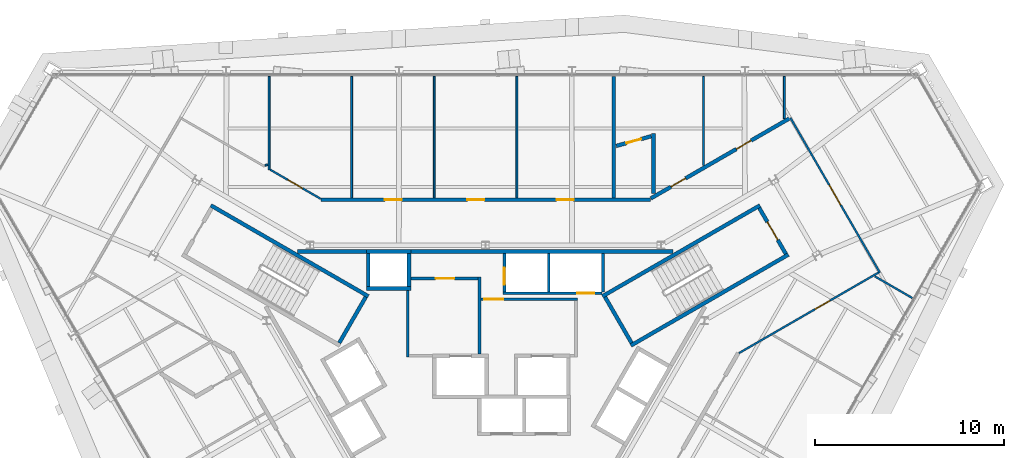
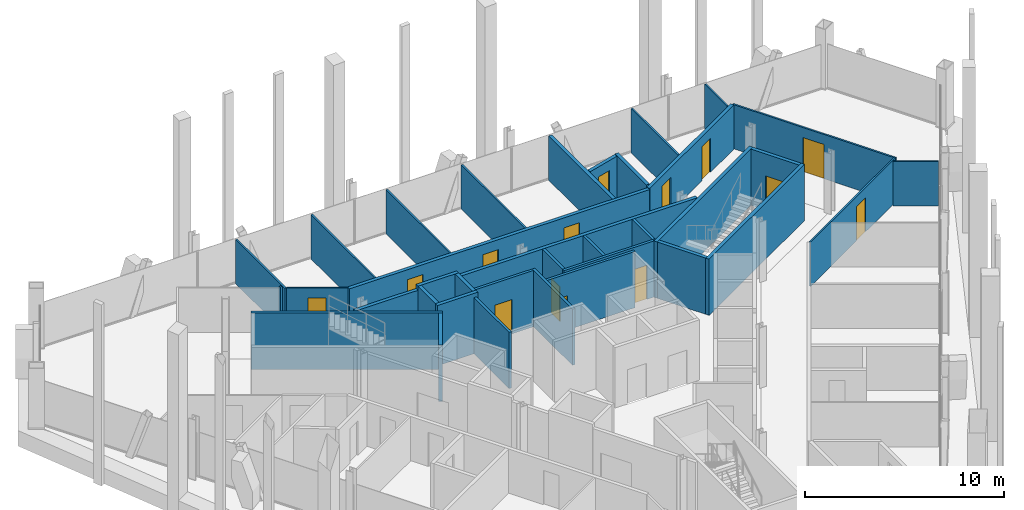
# One storey, part 13 of 16: 36 walls, 14 doors, 14 openings.
"""IFC4 building model written with IfcOpenShell, lengths in metres."""

from ifc_helpers import new_model, si_unit, direction, frame, frame_2d, origin, place, context, subcontext, project, spatial, rectangle, extrude, material, layer, layer_set, type_object, element, fill, save


model = new_model("IFC4")

# Units and contexts
model_context = context("Model", 3, precision=1e-05, world=origin(), true_north=direction((0.0, 1.0)))
body_context = subcontext(model_context, "Body", "Model", "MODEL_VIEW")
ifc_project = project(units=[si_unit("LENGTHUNIT", "METRE"), si_unit("AREAUNIT", "SQUARE_METRE"), si_unit("VOLUMEUNIT", "CUBIC_METRE"), si_unit("PLANEANGLEUNIT", "RADIAN"), si_unit("MASSUNIT", "GRAM", prefix="KILO")], contexts=[model_context])

# Site, building, storey
site_placement = place(None, origin())
site = spatial("IfcSite", under=ifc_project, at=site_placement, CompositionType="ELEMENT")
building_placement = place(site_placement, origin())
building = spatial("IfcBuilding", under=site, at=building_placement, Name="Verrane Prism Tower", CompositionType="ELEMENT")
storey_placement = place(building_placement, frame((0.0, 0.0, 247.10009765625)))
storey = spatial("IfcBuildingStorey", under=building, at=storey_placement, Name="L62", CompositionType="ELEMENT", Elevation=247.10009765625)

# Walls
ifc_material_1 = material(Name="Gypsum board partition", Category="other")
ifc_layer_1 = layer(ifc_material_1, 0.199951171875)
ifc_layer_set_1 = layer_set([ifc_layer_1], Name="CW-200 core boundary wall 2 h")
wall_type_1 = type_object("IfcWallType", Name="CW-200 core boundary wall 2 h", PredefinedType="PARTITIONING", material=ifc_layer_set_1)
wall_1_placement = place(storey_placement, frame((-9.907958984375, 7.659912109375, 0.0), z_axis=(0.0, 0.0, 1.0), x_axis=(1.0, 0.0, 0.0)))
element("IfcWall", 1, at=wall_1_placement, inside=storey, type_object=wall_type_1, Name="Core boundary wall CW3-002", PredefinedType="PARTITIONING", context=body_context, shape_type="SweptSolid", body=[
    extrude(rectangle(XDim=3.620849609375, YDim=0.199951171875, at=frame_2d((1.810546875, 0.0))), origin(), (0.0, 0.0, 1.0), 3.449951171875),
])
wall_2_placement = place(storey_placement, frame((-3.93310546875, 7.659912109375, 0.0), z_axis=(0.0, 0.0, 1.0), x_axis=(1.0, 0.0, 0.0)))
element("IfcWall", 2, at=wall_2_placement, inside=storey, type_object=wall_type_1, Name="Core boundary wall CW3-005", PredefinedType="PARTITIONING", context=body_context, shape_type="SweptSolid", body=[
    extrude(rectangle(XDim=13.841064453125, YDim=0.199951171875, at=frame_2d((6.92041015625, 0.0))), origin(), (0.0, 0.0, 1.0), 3.449951171875),
])

# Wall, opening, door
ifc_material_2 = material(Name="Concrete C40/50", Category="concrete")
ifc_layer_2 = layer(ifc_material_2, 0.199951171875)
ifc_layer_set_2 = layer_set([ifc_layer_2], Name="CW-200 stair core wall concrete C40/50 3 h")
wall_type_2 = type_object("IfcWallType", Name="CW-200 stair core wall concrete C40/50 3 h", PredefinedType="PARTITIONING", material=ifc_layer_set_2)
wall_3_placement = place(storey_placement, frame((15.85546875, 7.53759765625, 0.0), z_axis=(0.0, 0.0, 1.0), x_axis=(-0.500049511043, 0.865996816683, 0.0)))
wall_3 = element("IfcWall", 3, at=wall_3_placement, inside=storey, type_object=wall_type_2, Name="Stair 1 enclosure wall", PredefinedType="PARTITIONING", context=body_context, shape_type="SweptSolid", body=[
    extrude(rectangle(XDim=2.800048828125, YDim=0.199951171875, at=frame_2d((1.39990234375, 0.0))), origin(), (0.0, 0.0, 1.0), 3.449951171875),
])
opening_1_placement = place(wall_3_placement, frame((0.849853515625, 0.0, 0.0)))
opening_1 = element("IfcOpeningElement", 4, at=opening_1_placement, cuts=wall_3, Name="Opening D62500", PredefinedType="OPENING", context=body_context, shape_type="SweptSolid", body=[
    extrude(rectangle(XDim=1.10009765625, YDim=2.10009765625, at=frame_2d((0.550048828125, 1.050048828125))), frame((0.0, 0.10986328125, 0.0), z_axis=(0.0, -1.0, 0.0), x_axis=(1.0, 0.0, 0.0)), (0.0, 0.0, 1.0), 0.219970703125),
])
ifc_material_3 = material(Name="Timber veneered door leaf", Category="wood")
door_type_1 = type_object("IfcDoorType", Name="DR-1100x2100 FD90 single leaf stair", OperationType="NOTDEFINED", PredefinedType="DOOR", material=ifc_material_3)
door_1_placement = place(opening_1_placement, origin())
door_1 = element("IfcDoor", 5, at=door_1_placement, inside=storey, type_object=door_type_1, Name="Stair 1 door", OperationType="SINGLE_SWING_LEFT", OverallHeight=2.10009765625, OverallWidth=1.10009765625, PredefinedType="DOOR", context=body_context, shape_type="SweptSolid", body=[
    extrude(rectangle(XDim=1.10009765625, YDim=2.10009765625, at=frame_2d((0.550048828125, 1.050048828125))), frame((0.0, 0.02490234375, 0.0), z_axis=(0.0, -1.0, 0.0), x_axis=(1.0, 0.0, 0.0)), (0.0, 0.0, 1.0), 0.050048828125),
])
fill(opening_1, door_1)

# Walls
for number, where, z_axis, x_axis, name in (
    (6, (6.17822265625, 5.299072265625, 0.0), (0.0, 0.0, 1.0), (0.866019993635, 0.500009370536, 0.0), "Stair 1 enclosure wall"),
    (7, (7.67822265625, 2.700927734375, 0.0), (0.0, 0.0, 1.0), (0.866019993635, 0.500009370536, 0.0), "Stair 1 enclosure wall"),
):
    element("IfcWall", number, at=place(storey_placement, frame(where, z_axis=z_axis, x_axis=x_axis)), inside=storey, type_object=wall_type_2, Name=name, PredefinedType="PARTITIONING", context=body_context, shape_type="SweptSolid", body=[
        extrude(rectangle(XDim=9.599853515625, YDim=0.199951171875, at=frame_2d((4.7998046875, 0.0))), origin(), (0.0, 0.0, 1.0), 3.449951171875),
    ])
wall_4_placement = place(storey_placement, frame((7.71484375, 2.837646484375, 0.0), z_axis=(0.0, 0.0, 1.0), x_axis=(-0.500049511043, 0.865996816683, 0.0)))
element("IfcWall", 8, at=wall_4_placement, inside=storey, type_object=wall_type_2, Name="Stair 1 enclosure wall", PredefinedType="PARTITIONING", context=body_context, shape_type="SweptSolid", body=[
    extrude(rectangle(XDim=2.800048828125, YDim=0.199951171875, at=frame_2d((1.39990234375, 0.0))), origin(), (0.0, 0.0, 1.0), 3.449951171875),
])
wall_5_placement = place(storey_placement, frame((-6.17822265625, 5.299072265625, 0.0), z_axis=(0.0, 0.0, 1.0), x_axis=(-0.866019993635, 0.500009370536, 0.0)))
element("IfcWall", 9, at=wall_5_placement, inside=storey, type_object=wall_type_2, Name="Stair 2 enclosure wall", PredefinedType="PARTITIONING", context=body_context, shape_type="SweptSolid", body=[
    extrude(rectangle(XDim=9.599853515625, YDim=0.199951171875, at=frame_2d((4.7998046875, 0.0))), origin(), (0.0, 0.0, 1.0), 3.449951171875),
])
wall_6_placement = place(storey_placement, frame((-6.314697265625, 5.262451171875, 0.0), z_axis=(0.0, 0.0, 1.0), x_axis=(-0.500049511043, -0.865996816683, 0.0)))
element("IfcWall", 10, at=wall_6_placement, inside=storey, type_object=wall_type_2, Name="Stair 2 enclosure wall", PredefinedType="PARTITIONING", context=body_context, shape_type="SweptSolid", body=[
    extrude(rectangle(XDim=2.800048828125, YDim=0.199951171875, at=frame_2d((1.39990234375, 0.0))), origin(), (0.0, 0.0, 1.0), 3.449951171875),
])
ifc_material_4 = material(Name="Gypsum board shaft wall assembly", Category="other")
ifc_layer_3 = layer(ifc_material_4, 0.199951171875)
ifc_layer_set_3 = layer_set([ifc_layer_3], Name="HW-200 lift shaft wall 2 h")
wall_type_3 = type_object("IfcWallType", Name="HW-200 lift shaft wall 2 h", PredefinedType="PARTITIONING", material=ifc_layer_set_3)
for number, where, z_axis, x_axis, name in (
    (11, (-6.284912109375, 5.7099609375, 0.0), (0.0, 0.0, 1.0), (1.0, 0.0, 0.0), "Lift shaft wall"),
    (12, (-6.284912109375, 7.659912109375, 0.0), (0.0, 0.0, 1.0), (1.0, 0.0, 0.0), "Lift shaft wall"),
):
    element("IfcWall", number, at=place(storey_placement, frame(where, z_axis=z_axis, x_axis=x_axis)), inside=storey, type_object=wall_type_3, Name=name, PredefinedType="PARTITIONING", context=body_context, shape_type="SweptSolid", body=[
        extrude(rectangle(XDim=2.349853515625, YDim=0.199951171875, at=frame_2d((1.1748046875, 0.0))), origin(), (0.0, 0.0, 1.0), 3.699951171875),
    ])
for number, where, z_axis, x_axis, name in (
    (13, (-4.034912109375, 5.81005859375, 0.0), (0.0, 0.0, 1.0), (0.0, 1.0, 0.0), "Lift shaft wall"),
    (14, (-6.18505859375, 5.81005859375, 0.0), (0.0, 0.0, 1.0), (0.0, 1.0, 0.0), "Lift shaft wall"),
):
    element("IfcWall", number, at=place(storey_placement, frame(where, z_axis=z_axis, x_axis=x_axis)), inside=storey, type_object=wall_type_3, Name=name, PredefinedType="PARTITIONING", context=body_context, shape_type="SweptSolid", body=[
        extrude(rectangle(XDim=1.75, YDim=0.199951171875, at=frame_2d((0.875, 0.0))), origin(), (0.0, 0.0, 1.0), 3.699951171875),
    ])
ifc_material_5 = material(Name="Gypsum board partition", Category="other")
ifc_layer_4 = layer(ifc_material_5, 0.14990234375)
ifc_layer_set_4 = layer_set([ifc_layer_4], Name="LF-150 firefighting lobby wall 1 h")
wall_type_4 = type_object("IfcWallType", Name="LF-150 firefighting lobby wall 1 h", PredefinedType="PARTITIONING", material=ifc_layer_set_4)
wall_7_placement = place(storey_placement, frame((-4.10009765625, 2.0849609375, 0.0), z_axis=(0.0, 0.0, 1.0), x_axis=(0.0, 1.0, 0.0)))
element("IfcWall", 15, at=wall_7_placement, inside=storey, type_object=wall_type_4, Name="Firefighting lobby wall LF1-001", PredefinedType="PARTITIONING", context=body_context, shape_type="SweptSolid", body=[
    extrude(rectangle(XDim=3.52294921875, YDim=0.14990234375, at=frame_2d((1.761474609375, 0.0))), origin(), (0.0, 0.0, 1.0), 3.449951171875),
])

# Wall, opening, door
wall_8_placement = place(storey_placement, frame((-3.93310546875, 6.239990234375, 0.0), z_axis=(0.0, 0.0, 1.0), x_axis=(1.0, 0.0, 0.0)))
wall_8 = element("IfcWall", 16, at=wall_8_placement, inside=storey, type_object=wall_type_4, Name="Firefighting lobby wall LF1-003", PredefinedType="PARTITIONING", context=body_context, shape_type="SweptSolid", body=[
    extrude(rectangle(XDim=3.5380859375, YDim=0.14990234375, at=frame_2d((1.76904296875, 0.0))), origin(), (0.0, 0.0, 1.0), 3.449951171875),
])
opening_2_placement = place(wall_8_placement, frame((1.300048828125, 0.0, 0.0)))
opening_2 = element("IfcOpeningElement", 17, at=opening_2_placement, cuts=wall_8, Name="Opening D62512", PredefinedType="OPENING", context=body_context, shape_type="SweptSolid", body=[
    extrude(rectangle(XDim=1.0, YDim=2.10009765625, at=frame_2d((0.5, 1.050048828125))), frame((0.0, 0.0849609375, 0.0), z_axis=(0.0, -1.0, 0.0), x_axis=(1.0, 0.0, 0.0)), (0.0, 0.0, 1.0), 0.169921875),
])
ifc_material_6 = material(Name="Timber veneered door leaf", Category="wood")
door_type_2 = type_object("IfcDoorType", Name="DR-1000x2100 FD60 single leaf firefighting lobby", OperationType="NOTDEFINED", PredefinedType="DOOR", material=ifc_material_6)
door_2_placement = place(opening_2_placement, origin())
door_2 = element("IfcDoor", 18, at=door_2_placement, inside=storey, type_object=door_type_2, Name="Firefighting lobby door D62512", OperationType="SINGLE_SWING_LEFT", OverallHeight=2.10009765625, OverallWidth=1.0, PredefinedType="DOOR", context=body_context, shape_type="SweptSolid", body=[
    extrude(rectangle(XDim=1.0, YDim=2.10009765625, at=frame_2d((0.5, 1.050048828125))), frame((0.0, 0.02490234375, 0.0), z_axis=(0.0, -1.0, 0.0), x_axis=(1.0, 0.0, 0.0)), (0.0, 0.0, 1.0), 0.050048828125),
])
fill(opening_2, door_2)

# Wall
wall_9_placement = place(storey_placement, frame((-0.320068359375, 2.251953125, 0.0), z_axis=(0.0, 0.0, 1.0), x_axis=(0.0, 1.0, 0.0)))
element("IfcWall", 19, at=wall_9_placement, inside=storey, type_object=wall_type_4, Name="Firefighting lobby wall LF1-004", PredefinedType="PARTITIONING", context=body_context, shape_type="SweptSolid", body=[
    extrude(rectangle(XDim=4.06298828125, YDim=0.14990234375, at=frame_2d((2.031494140625, 0.0))), origin(), (0.0, 0.0, 1.0), 3.449951171875),
])

# Wall, opening, door
wall_10_placement = place(storey_placement, frame((-0.2451171875, 5.139892578125, 0.0), z_axis=(0.0, 0.0, 1.0), x_axis=(1.0, 0.0, 0.0)))
wall_10 = element("IfcWall", 20, at=wall_10_placement, inside=storey, type_object=wall_type_4, Name="Firefighting lobby wall LF1-005", PredefinedType="PARTITIONING", context=body_context, shape_type="SweptSolid", body=[
    extrude(rectangle(XDim=5.110107421875, YDim=0.14990234375, at=frame_2d((2.55517578125, 0.0))), origin(), (0.0, 0.0, 1.0), 3.449951171875),
])
opening_3_placement = place(wall_10_placement, frame((0.175048828125, 0.0, 0.0)))
opening_3 = element("IfcOpeningElement", 21, at=opening_3_placement, cuts=wall_10, Name="Opening D62513", PredefinedType="OPENING", context=body_context, shape_type="SweptSolid", body=[
    extrude(rectangle(XDim=1.0, YDim=2.10009765625, at=frame_2d((0.5, 1.050048828125))), frame((0.0, 0.0849609375, 0.0), z_axis=(0.0, -1.0, 0.0), x_axis=(1.0, 0.0, 0.0)), (0.0, 0.0, 1.0), 0.169921875),
])
door_3_placement = place(opening_3_placement, origin())
door_3 = element("IfcDoor", 22, at=door_3_placement, inside=storey, type_object=door_type_2, Name="Firefighting lobby door D62513", OperationType="SINGLE_SWING_LEFT", OverallHeight=2.10009765625, OverallWidth=1.0, PredefinedType="DOOR", context=body_context, shape_type="SweptSolid", body=[
    extrude(rectangle(XDim=1.0, YDim=2.10009765625, at=frame_2d((0.5, 1.050048828125))), frame((0.0, 0.02490234375, 0.0), z_axis=(0.0, -1.0, 0.0), x_axis=(1.0, 0.0, 0.0)), (0.0, 0.0, 1.0), 0.050048828125),
])
fill(opening_3, door_3)

# Walls
ifc_material_7 = material(Name="Gypsum board partition", Category="other")
ifc_layer_5 = layer(ifc_material_7, 0.10009765625)
ifc_layer_set_5 = layer_set([ifc_layer_5], Name="PW-100 room partition")
wall_type_5 = type_object("IfcWallType", Name="PW-100 room partition", PredefinedType="PARTITIONING", material=ifc_layer_set_5)
wall_11_placement = place(storey_placement, frame((-11.631591796875, 12.202880859375, 0.0), z_axis=(0.0, 0.0, 1.0), x_axis=(0.934710776834, 0.355409290354, 0.0)))
element("IfcWall", 23, at=wall_11_placement, inside=storey, type_object=wall_type_5, Name="Room partition 017", PredefinedType="PARTITIONING", context=body_context, shape_type="SweptSolid", body=[
    extrude(rectangle(XDim=0.156005859375, YDim=0.10009765625, at=frame_2d((0.078125, 0.0))), origin(), (0.0, 0.0, 1.0), 2.712890625),
])
wall_12_placement = place(storey_placement, frame((-11.41796875, 11.967041015625, 0.0), z_axis=(0.0, 0.0, 1.0), x_axis=(0.0, 1.0, 0.0)))
element("IfcWall", 24, at=wall_12_placement, inside=storey, type_object=wall_type_5, Name="Room partition 018", PredefinedType="PARTITIONING", context=body_context, shape_type="SweptSolid", body=[
    extrude(rectangle(XDim=4.93896484375, YDim=0.10009765625, at=frame_2d((2.469482421875, 0.0))), origin(), (0.0, 0.0, 1.0), 2.712890625),
])

# Wall, opening, door
wall_13_placement = place(storey_placement, frame((-11.357421875, 11.98193359375, 0.0), z_axis=(0.0, 0.0, 1.0), x_axis=(0.866039032844, -0.499976393034, 0.0)))
wall_13 = element("IfcWall", 25, at=wall_13_placement, inside=storey, type_object=wall_type_5, Name="Room partition 019", PredefinedType="PARTITIONING", context=body_context, shape_type="SweptSolid", body=[
    extrude(rectangle(XDim=3.079345703125, YDim=0.10009765625, at=frame_2d((1.53955078125, 0.0))), origin(), (0.0, 0.0, 1.0), 2.712890625),
])
opening_4_placement = place(wall_13_placement, frame((1.080078125, 0.0, 0.0)))
opening_4 = element("IfcOpeningElement", 26, at=opening_4_placement, cuts=wall_13, Name="Opening D62016", PredefinedType="OPENING", context=body_context, shape_type="SweptSolid", body=[
    extrude(rectangle(XDim=0.89990234375, YDim=2.10009765625, at=frame_2d((0.449951171875, 1.050048828125))), frame((0.0, 0.06005859375, 0.0), z_axis=(0.0, -1.0, 0.0), x_axis=(1.0, 0.0, 0.0)), (0.0, 0.0, 1.0), 0.1201171875),
])
ifc_material_8 = material(Name="Timber veneered door leaf", Category="wood")
door_type_3 = type_object("IfcDoorType", Name="DR-900x2100 single leaf unit", OperationType="NOTDEFINED", PredefinedType="DOOR", material=ifc_material_8)
door_4_placement = place(opening_4_placement, origin())
door_4 = element("IfcDoor", 27, at=door_4_placement, inside=storey, type_object=door_type_3, Name="Utility Room door", OperationType="SINGLE_SWING_RIGHT", OverallHeight=2.10009765625, OverallWidth=0.89990234375, PredefinedType="DOOR", context=body_context, shape_type="SweptSolid", body=[
    extrude(rectangle(XDim=0.89990234375, YDim=2.10009765625, at=frame_2d((0.449951171875, 1.050048828125))), frame((0.0, 0.02490234375, 0.0), z_axis=(0.0, -1.0, 0.0), x_axis=(1.0, 0.0, 0.0)), (0.0, 0.0, 1.0), 0.050048828125),
])
fill(opening_4, door_4)

# Walls
for number, where, z_axis, x_axis, name in (
    (28, (-7.05908203125, 10.5, 0.0), (0.0, 0.0, 1.0), (0.0, 1.0, 0.0), "Room partition 022"),
    (29, (-2.700927734375, 10.5, 0.0), (0.0, 0.0, 1.0), (0.0, 1.0, 0.0), "Room partition 026"),
    (30, (1.657958984375, 10.5, 0.0), (0.0, 0.0, 1.0), (0.0, 1.0, 0.0), "Room partition 027"),
):
    element("IfcWall", number, at=place(storey_placement, frame(where, z_axis=z_axis, x_axis=x_axis)), inside=storey, type_object=wall_type_5, Name=name, PredefinedType="PARTITIONING", context=body_context, shape_type="SweptSolid", body=[
        extrude(rectangle(XDim=6.406005859375, YDim=0.10009765625, at=frame_2d((3.203125, 0.0))), origin(), (0.0, 0.0, 1.0), 2.712890625),
    ])
wall_14_placement = place(storey_placement, frame((11.512939453125, 12.21533203125, 0.0), z_axis=(0.0, 0.0, 1.0), x_axis=(0.0, 1.0, 0.0)))
element("IfcWall", 31, at=wall_14_placement, inside=storey, type_object=wall_type_5, Name="Room partition 042", PredefinedType="PARTITIONING", context=body_context, shape_type="SweptSolid", body=[
    extrude(rectangle(XDim=4.690673828125, YDim=0.10009765625, at=frame_2d((2.34521484375, 0.0))), origin(), (0.0, 0.0, 1.0), 2.712890625),
])

# Wall, opening, door
wall_15_placement = place(storey_placement, frame((20.755615234375, 6.556884765625, 0.0), z_axis=(0.0, 0.0, 1.0), x_axis=(-0.86606177021, -0.499937006213, 0.0)))
wall_15 = element("IfcWall", 32, at=wall_15_placement, inside=storey, type_object=wall_type_5, Name="Room partition 044", PredefinedType="PARTITIONING", context=body_context, shape_type="SweptSolid", body=[
    extrude(rectangle(XDim=8.50390625, YDim=0.10009765625, at=frame_2d((4.251953125, 0.0))), origin(), (0.0, 0.0, 1.0), 2.712890625),
])
opening_5_placement = place(wall_15_placement, frame((2.97900390625, 0.0, 0.0)))
opening_5 = element("IfcOpeningElement", 33, at=opening_5_placement, cuts=wall_15, Name="Opening D62008", PredefinedType="OPENING", context=body_context, shape_type="SweptSolid", body=[
    extrude(rectangle(XDim=0.89990234375, YDim=2.10009765625, at=frame_2d((0.449951171875, 1.050048828125))), frame((0.0, 0.06005859375, 0.0), z_axis=(0.0, -1.0, 0.0), x_axis=(1.0, 0.0, 0.0)), (0.0, 0.0, 1.0), 0.1201171875),
])
door_5_placement = place(opening_5_placement, origin())
door_5 = element("IfcDoor", 34, at=door_5_placement, inside=storey, type_object=door_type_3, Name="Study door", OperationType="SINGLE_SWING_LEFT", OverallHeight=2.10009765625, OverallWidth=0.89990234375, PredefinedType="DOOR", context=body_context, shape_type="SweptSolid", body=[
    extrude(rectangle(XDim=0.89990234375, YDim=2.10009765625, at=frame_2d((0.449951171875, 1.050048828125))), frame((0.0, 0.02490234375, 0.0), z_axis=(0.0, -1.0, 0.0), x_axis=(1.0, 0.0, 0.0)), (0.0, 0.0, 1.0), 0.050048828125),
])
fill(opening_5, door_5)

# Wall
wall_16_placement = place(storey_placement, frame((15.777099609375, 14.67724609375, 0.0), z_axis=(0.0, 0.0, 1.0), x_axis=(0.0, 1.0, 0.0)))
element("IfcWall", 35, at=wall_16_placement, inside=storey, type_object=wall_type_5, Name="Room partition 046", PredefinedType="PARTITIONING", context=body_context, shape_type="SweptSolid", body=[
    extrude(rectangle(XDim=2.228759765625, YDim=0.10009765625, at=frame_2d((1.1142578125, 0.0))), origin(), (0.0, 0.0, 1.0), 2.712890625),
])

# Wall, opening, door
wall_17_placement = place(storey_placement, frame((16.097900390625, 14.718017578125, 0.0), z_axis=(0.0, 0.0, 1.0), x_axis=(0.50030257167, -0.86585064346, 0.0)))
wall_17 = element("IfcWall", 36, at=wall_17_placement, inside=storey, type_object=wall_type_5, Name="Room partition 047", PredefinedType="PARTITIONING", context=body_context, shape_type="SweptSolid", body=[
    extrude(rectangle(XDim=9.446533203125, YDim=0.10009765625, at=frame_2d((4.72314453125, 0.0))), origin(), (0.0, 0.0, 1.0), 2.712890625),
])
opening_6_placement = place(wall_17_placement, frame((4.10009765625, 0.0, 0.0)))
opening_6 = element("IfcOpeningElement", 37, at=opening_6_placement, cuts=wall_17, Name="Opening D62009", PredefinedType="OPENING", context=body_context, shape_type="SweptSolid", body=[
    extrude(rectangle(XDim=1.199951171875, YDim=2.10009765625, at=frame_2d((0.60009765625, 1.050048828125))), frame((0.0, 0.06005859375, 0.0), z_axis=(0.0, -1.0, 0.0), x_axis=(1.0, 0.0, 0.0)), (0.0, 0.0, 1.0), 0.1201171875),
])
ifc_material_9 = material(Name="Timber veneered door leaf", Category="wood")
door_type_4 = type_object("IfcDoorType", Name="DR-1200x2100 single leaf unit", OperationType="NOTDEFINED", PredefinedType="DOOR", material=ifc_material_9)
door_6_placement = place(opening_6_placement, origin())
door_6 = element("IfcDoor", 38, at=door_6_placement, inside=storey, type_object=door_type_4, Name="Living And Dining Room door", OperationType="SINGLE_SWING_LEFT", OverallHeight=2.10009765625, OverallWidth=1.199951171875, PredefinedType="DOOR", context=body_context, shape_type="SweptSolid", body=[
    extrude(rectangle(XDim=1.199951171875, YDim=2.10009765625, at=frame_2d((0.60009765625, 1.050048828125))), frame((0.0, 0.02490234375, 0.0), z_axis=(0.0, -1.0, 0.0), x_axis=(1.0, 0.0, 0.0)), (0.0, 0.0, 1.0), 0.050048828125),
])
fill(opening_6, door_6)

# Wall
wall_18_placement = place(storey_placement, frame((20.552001953125, 6.352783203125, 0.0), z_axis=(0.0, 0.0, 1.0), x_axis=(0.865865073245, -0.500277597875, 0.0)))
element("IfcWall", 39, at=wall_18_placement, inside=storey, type_object=wall_type_5, Name="Room partition 048", PredefinedType="PARTITIONING", context=body_context, shape_type="SweptSolid", body=[
    extrude(rectangle(XDim=2.283935546875, YDim=0.10009765625, at=frame_2d((1.14208984375, 0.0))), origin(), (0.0, 0.0, 1.0), 2.712890625),
])

# Wall, openings, doors
ifc_material_10 = material(Name="Gypsum board partition", Category="other")
ifc_layer_6 = layer(ifc_material_10, 0.199951171875)
ifc_layer_set_6 = layer_set([ifc_layer_6], Name="PW-200 plumbing wall")
wall_type_6 = type_object("IfcWallType", Name="PW-200 plumbing wall", PredefinedType="PARTITIONING", material=ifc_layer_set_6)
wall_19_placement = place(storey_placement, frame((-8.6669921875, 10.39990234375, 0.0), z_axis=(0.0, 0.0, 1.0), x_axis=(1.0, 0.0, 0.0)))
wall_19 = element("IfcWall", 40, at=wall_19_placement, inside=storey, type_object=wall_type_6, Name="Plumbing wall 021", PredefinedType="PARTITIONING", context=body_context, shape_type="SweptSolid", body=[
    extrude(rectangle(XDim=17.384033203125, YDim=0.199951171875, at=frame_2d((8.69189453125, 0.0))), origin(), (0.0, 0.0, 1.0), 2.712890625),
])
opening_7_placement = place(wall_19_placement, frame((12.425048828125, 0.0, 0.0)))
opening_7 = element("IfcOpeningElement", 41, at=opening_7_placement, cuts=wall_19, Name="Opening D62013", PredefinedType="OPENING", context=body_context, shape_type="SweptSolid", body=[
    extrude(rectangle(XDim=0.89990234375, YDim=2.10009765625, at=frame_2d((0.449951171875, 1.050048828125))), frame((0.0, 0.10986328125, 0.0), z_axis=(0.0, -1.0, 0.0), x_axis=(1.0, 0.0, 0.0)), (0.0, 0.0, 1.0), 0.219970703125),
])
opening_8_placement = place(wall_19_placement, frame((7.716064453125, 0.0, 0.0)))
opening_8 = element("IfcOpeningElement", 42, at=opening_8_placement, cuts=wall_19, Name="Opening D62014", PredefinedType="OPENING", context=body_context, shape_type="SweptSolid", body=[
    extrude(rectangle(XDim=0.89990234375, YDim=2.10009765625, at=frame_2d((0.449951171875, 1.050048828125))), frame((0.0, 0.10986328125, 0.0), z_axis=(0.0, -1.0, 0.0), x_axis=(1.0, 0.0, 0.0)), (0.0, 0.0, 1.0), 0.219970703125),
])
opening_9_placement = place(wall_19_placement, frame((3.35791015625, 0.0, 0.0)))
opening_9 = element("IfcOpeningElement", 43, at=opening_9_placement, cuts=wall_19, Name="Opening D62015", PredefinedType="OPENING", context=body_context, shape_type="SweptSolid", body=[
    extrude(rectangle(XDim=0.89990234375, YDim=2.10009765625, at=frame_2d((0.449951171875, 1.050048828125))), frame((0.0, 0.10986328125, 0.0), z_axis=(0.0, -1.0, 0.0), x_axis=(1.0, 0.0, 0.0)), (0.0, 0.0, 1.0), 0.219970703125),
])
door_7_placement = place(opening_7_placement, origin())
door_7 = element("IfcDoor", 44, at=door_7_placement, inside=storey, type_object=door_type_3, Name="Study door", OperationType="SINGLE_SWING_LEFT", OverallHeight=2.10009765625, OverallWidth=0.89990234375, PredefinedType="DOOR", context=body_context, shape_type="SweptSolid", body=[
    extrude(rectangle(XDim=0.89990234375, YDim=2.10009765625, at=frame_2d((0.449951171875, 1.050048828125))), frame((0.0, 0.02490234375, 0.0), z_axis=(0.0, -1.0, 0.0), x_axis=(1.0, 0.0, 0.0)), (0.0, 0.0, 1.0), 0.050048828125),
])
fill(opening_7, door_7)
door_8_placement = place(opening_8_placement, origin())
door_8 = element("IfcDoor", 45, at=door_8_placement, inside=storey, type_object=door_type_3, Name="Utility Room door", OperationType="SINGLE_SWING_RIGHT", OverallHeight=2.10009765625, OverallWidth=0.89990234375, PredefinedType="DOOR", context=body_context, shape_type="SweptSolid", body=[
    extrude(rectangle(XDim=0.89990234375, YDim=2.10009765625, at=frame_2d((0.449951171875, 1.050048828125))), frame((0.0, 0.02490234375, 0.0), z_axis=(0.0, -1.0, 0.0), x_axis=(1.0, 0.0, 0.0)), (0.0, 0.0, 1.0), 0.050048828125),
])
fill(opening_8, door_8)
door_9_placement = place(opening_9_placement, origin())
door_9 = element("IfcDoor", 46, at=door_9_placement, inside=storey, type_object=door_type_3, Name="Utility Room door", OperationType="SINGLE_SWING_LEFT", OverallHeight=2.10009765625, OverallWidth=0.89990234375, PredefinedType="DOOR", context=body_context, shape_type="SweptSolid", body=[
    extrude(rectangle(XDim=0.89990234375, YDim=2.10009765625, at=frame_2d((0.449951171875, 1.050048828125))), frame((0.0, 0.02490234375, 0.0), z_axis=(0.0, -1.0, 0.0), x_axis=(1.0, 0.0, 0.0)), (0.0, 0.0, 1.0), 0.050048828125),
])
fill(opening_9, door_9)

# Wall
wall_20_placement = place(storey_placement, frame((6.77490234375, 10.5, 0.0), z_axis=(0.0, 0.0, 1.0), x_axis=(0.0, 1.0, 0.0)))
element("IfcWall", 47, at=wall_20_placement, inside=storey, type_object=wall_type_6, Name="Plumbing wall 034", PredefinedType="PARTITIONING", context=body_context, shape_type="SweptSolid", body=[
    extrude(rectangle(XDim=6.406005859375, YDim=0.199951171875, at=frame_2d((3.203125, 0.0))), origin(), (0.0, 0.0, 1.0), 2.712890625),
])

# Wall, opening, door
wall_21_placement = place(storey_placement, frame((8.749755859375, 13.747314453125, 0.0), z_axis=(0.0, 0.0, 1.0), x_axis=(-0.963674591663, -0.267079166884, 0.0)))
wall_21 = element("IfcWall", 48, at=wall_21_placement, inside=storey, type_object=wall_type_6, Name="Plumbing wall 035", PredefinedType="PARTITIONING", context=body_context, shape_type="SweptSolid", body=[
    extrude(rectangle(XDim=1.917724609375, YDim=0.199951171875, at=frame_2d((0.958984375, 0.0))), origin(), (0.0, 0.0, 1.0), 2.712890625),
])
opening_10_placement = place(wall_21_placement, frame((0.549072265625, 0.0, 0.0)))
opening_10 = element("IfcOpeningElement", 49, at=opening_10_placement, cuts=wall_21, Name="Opening D62012", PredefinedType="OPENING", context=body_context, shape_type="SweptSolid", body=[
    extrude(rectangle(XDim=0.800048828125, YDim=2.10009765625, at=frame_2d((0.39990234375, 1.050048828125))), frame((0.0, 0.10986328125, 0.0), z_axis=(0.0, -1.0, 0.0), x_axis=(1.0, 0.0, 0.0)), (0.0, 0.0, 1.0), 0.219970703125),
])
ifc_material_11 = material(Name="Timber veneered door leaf", Category="wood")
door_type_5 = type_object("IfcDoorType", Name="DR-800x2100 single leaf bath", OperationType="NOTDEFINED", PredefinedType="DOOR", material=ifc_material_11)
door_10_placement = place(opening_10_placement, origin())
door_10 = element("IfcDoor", 50, at=door_10_placement, inside=storey, type_object=door_type_5, Name="Bathroom door", OperationType="SINGLE_SWING_LEFT", OverallHeight=2.10009765625, OverallWidth=0.800048828125, PredefinedType="DOOR", context=body_context, shape_type="SweptSolid", body=[
    extrude(rectangle(XDim=0.800048828125, YDim=2.10009765625, at=frame_2d((0.39990234375, 1.050048828125))), frame((0.0, 0.02490234375, 0.0), z_axis=(0.0, -1.0, 0.0), x_axis=(1.0, 0.0, 0.0)), (0.0, 0.0, 1.0), 0.050048828125),
])
fill(opening_10, door_10)

# Wall, openings, doors
wall_22_placement = place(storey_placement, frame((8.73388671875, 10.467529296875, 0.0), z_axis=(0.0, 0.0, 1.0), x_axis=(0.86608074249, 0.499904138298, 0.0)))
wall_22 = element("IfcWall", 51, at=wall_22_placement, inside=storey, type_object=wall_type_6, Name="Plumbing wall 038", PredefinedType="PARTITIONING", context=body_context, shape_type="SweptSolid", body=[
    extrude(rectangle(XDim=8.452880859375, YDim=0.199951171875, at=frame_2d((4.2265625, 0.0))), origin(), (0.0, 0.0, 1.0), 2.712890625),
])
opening_11_placement = place(wall_22_placement, frame((5.208984375, 0.0, 0.0)))
opening_11 = element("IfcOpeningElement", 52, at=opening_11_placement, cuts=wall_22, Name="Opening D62010", PredefinedType="OPENING", context=body_context, shape_type="SweptSolid", body=[
    extrude(rectangle(XDim=0.89990234375, YDim=2.10009765625, at=frame_2d((0.449951171875, 1.050048828125))), frame((0.0, 0.10986328125, 0.0), z_axis=(0.0, -1.0, 0.0), x_axis=(1.0, 0.0, 0.0)), (0.0, 0.0, 1.0), 0.219970703125),
])
opening_12_placement = place(wall_22_placement, frame((1.212890625, 0.0, 0.0)))
opening_12 = element("IfcOpeningElement", 53, at=opening_12_placement, cuts=wall_22, Name="Opening D62011", PredefinedType="OPENING", context=body_context, shape_type="SweptSolid", body=[
    extrude(rectangle(XDim=0.89990234375, YDim=2.10009765625, at=frame_2d((0.449951171875, 1.050048828125))), frame((0.0, 0.10986328125, 0.0), z_axis=(0.0, -1.0, 0.0), x_axis=(1.0, 0.0, 0.0)), (0.0, 0.0, 1.0), 0.219970703125),
])
ifc_material_12 = material(Name="Timber veneered door leaf", Category="wood")
door_type_6 = type_object("IfcDoorType", Name="DR-900x2100 single leaf inner", OperationType="NOTDEFINED", PredefinedType="DOOR", material=ifc_material_12)
door_11_placement = place(opening_12_placement, origin())
door_11 = element("IfcDoor", 54, at=door_11_placement, inside=storey, type_object=door_type_6, Name="Bedroom door", OperationType="SINGLE_SWING_LEFT", OverallHeight=2.10009765625, OverallWidth=0.89990234375, PredefinedType="DOOR", context=body_context, shape_type="SweptSolid", body=[
    extrude(rectangle(XDim=0.89990234375, YDim=2.10009765625, at=frame_2d((0.449951171875, 1.050048828125))), frame((0.0, 0.02490234375, 0.0), z_axis=(0.0, -1.0, 0.0), x_axis=(1.0, 0.0, 0.0)), (0.0, 0.0, 1.0), 0.050048828125),
])
fill(opening_12, door_11)
door_12_placement = place(opening_11_placement, origin())
door_12 = element("IfcDoor", 55, at=door_12_placement, inside=storey, type_object=door_type_3, Name="Kitchen door", OperationType="SINGLE_SWING_RIGHT", OverallHeight=2.10009765625, OverallWidth=0.89990234375, PredefinedType="DOOR", context=body_context, shape_type="SweptSolid", body=[
    extrude(rectangle(XDim=0.89990234375, YDim=2.10009765625, at=frame_2d((0.449951171875, 1.050048828125))), frame((0.0, 0.02490234375, 0.0), z_axis=(0.0, -1.0, 0.0), x_axis=(1.0, 0.0, 0.0)), (0.0, 0.0, 1.0), 0.050048828125),
])
fill(opening_11, door_12)

# Wall
wall_23_placement = place(storey_placement, frame((8.875, 10.72216796875, 0.0), z_axis=(0.0, 0.0, 1.0), x_axis=(0.0, 1.0, 0.0)))
element("IfcWall", 56, at=wall_23_placement, inside=storey, type_object=wall_type_6, Name="Plumbing wall 040", PredefinedType="PARTITIONING", context=body_context, shape_type="SweptSolid", body=[
    extrude(rectangle(XDim=3.159912109375, YDim=0.199951171875, at=frame_2d((1.580078125, 0.0))), origin(), (0.0, 0.0, 1.0), 2.712890625),
])

# Wall, opening, door
ifc_material_13 = material(Name="Gypsum board partition", Category="other")
ifc_layer_7 = layer(ifc_material_13, 0.14990234375)
ifc_layer_set_7 = layer_set([ifc_layer_7], Name="RS-150 riser enclosure wall 1 h")
wall_type_7 = type_object("IfcWallType", Name="RS-150 riser enclosure wall 1 h", PredefinedType="PARTITIONING", material=ifc_layer_set_7)
wall_24_placement = place(storey_placement, frame((1.0, 7.56005859375, 0.0), z_axis=(0.0, 0.0, 1.0), x_axis=(0.0, -1.0, 0.0)))
wall_24 = element("IfcWall", 57, at=wall_24_placement, inside=storey, type_object=wall_type_7, Name="Riser wall RS3-002", PredefinedType="PARTITIONING", context=body_context, shape_type="SweptSolid", body=[
    extrude(rectangle(XDim=2.025146484375, YDim=0.14990234375, at=frame_2d((1.0126953125, 0.0))), origin(), (0.0, 0.0, 1.0), 3.449951171875),
])
opening_13_placement = place(wall_24_placement, frame((0.75, 0.0, 0.0)))
opening_13 = element("IfcOpeningElement", 58, at=opening_13_placement, cuts=wall_24, Name="Opening D62514", PredefinedType="OPENING", context=body_context, shape_type="SweptSolid", body=[
    extrude(rectangle(XDim=0.89990234375, YDim=2.10009765625, at=frame_2d((0.449951171875, 1.050048828125))), frame((0.0, 0.0849609375, 0.0), z_axis=(0.0, -1.0, 0.0), x_axis=(1.0, 0.0, 0.0)), (0.0, 0.0, 1.0), 0.169921875),
])
ifc_material_14 = material(Name="Timber veneered door leaf", Category="wood")
door_type_7 = type_object("IfcDoorType", Name="DR-900x2100 FD60 single leaf riser", OperationType="NOTDEFINED", PredefinedType="DOOR", material=ifc_material_14)
door_13_placement = place(opening_13_placement, origin())
door_13 = element("IfcDoor", 59, at=door_13_placement, inside=storey, type_object=door_type_7, Name="Riser door D62514", OperationType="SINGLE_SWING_RIGHT", OverallHeight=2.10009765625, OverallWidth=0.89990234375, PredefinedType="DOOR", context=body_context, shape_type="SweptSolid", body=[
    extrude(rectangle(XDim=0.89990234375, YDim=2.10009765625, at=frame_2d((0.449951171875, 1.050048828125))), frame((0.0, 0.02490234375, 0.0), z_axis=(0.0, -1.0, 0.0), x_axis=(1.0, 0.0, 0.0)), (0.0, 0.0, 1.0), 0.050048828125),
])
fill(opening_13, door_13)

wall_25_placement = place(storey_placement, frame((0.925048828125, 5.4599609375, 0.0), z_axis=(0.0, 0.0, 1.0), x_axis=(1.0, 0.0, 0.0)))
wall_25 = element("IfcWall", 60, at=wall_25_placement, inside=storey, type_object=wall_type_7, Name="Riser wall RS3-003", PredefinedType="PARTITIONING", context=body_context, shape_type="SweptSolid", body=[
    extrude(rectangle(XDim=5.219970703125, YDim=0.14990234375, at=frame_2d((2.60986328125, 0.0))), origin(), (0.0, 0.0, 1.0), 3.449951171875),
])
opening_14_placement = place(wall_25_placement, frame((3.9150390625, 0.0, 0.0)))
opening_14 = element("IfcOpeningElement", 61, at=opening_14_placement, cuts=wall_25, Name="Opening D62515", PredefinedType="OPENING", context=body_context, shape_type="SweptSolid", body=[
    extrude(rectangle(XDim=0.89990234375, YDim=2.10009765625, at=frame_2d((0.449951171875, 1.050048828125))), frame((0.0, 0.0849609375, 0.0), z_axis=(0.0, -1.0, 0.0), x_axis=(1.0, 0.0, 0.0)), (0.0, 0.0, 1.0), 0.169921875),
])
door_14_placement = place(opening_14_placement, origin())
door_14 = element("IfcDoor", 62, at=door_14_placement, inside=storey, type_object=door_type_7, Name="Riser door D62515", OperationType="SINGLE_SWING_RIGHT", OverallHeight=2.10009765625, OverallWidth=0.89990234375, PredefinedType="DOOR", context=body_context, shape_type="SweptSolid", body=[
    extrude(rectangle(XDim=0.89990234375, YDim=2.10009765625, at=frame_2d((0.449951171875, 1.050048828125))), frame((0.0, 0.02490234375, 0.0), z_axis=(0.0, -1.0, 0.0), x_axis=(1.0, 0.0, 0.0)), (0.0, 0.0, 1.0), 0.050048828125),
])
fill(opening_14, door_14)

# Walls
for number, where, z_axis, x_axis, name in (
    (63, (3.340087890625, 5.534912109375, 0.0), (0.0, 0.0, 1.0), (0.0, 1.0, 0.0), "Riser wall RS3-005"),
    (64, (6.199951171875, 5.534912109375, 0.0), (0.0, 0.0, 1.0), (0.0, 1.0, 0.0), "Riser wall RS3-006"),
):
    element("IfcWall", number, at=place(storey_placement, frame(where, z_axis=z_axis, x_axis=x_axis)), inside=storey, type_object=wall_type_7, Name=name, PredefinedType="PARTITIONING", context=body_context, shape_type="SweptSolid", body=[
        extrude(rectangle(XDim=2.025146484375, YDim=0.14990234375, at=frame_2d((1.0126953125, 0.0))), origin(), (0.0, 0.0, 1.0), 3.449951171875),
    ])

save(model, "model.ifc")
